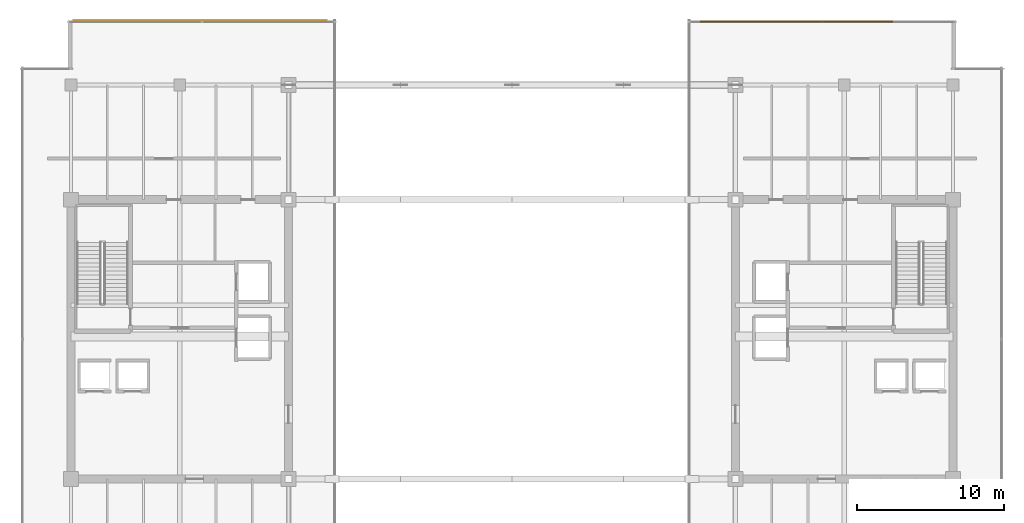
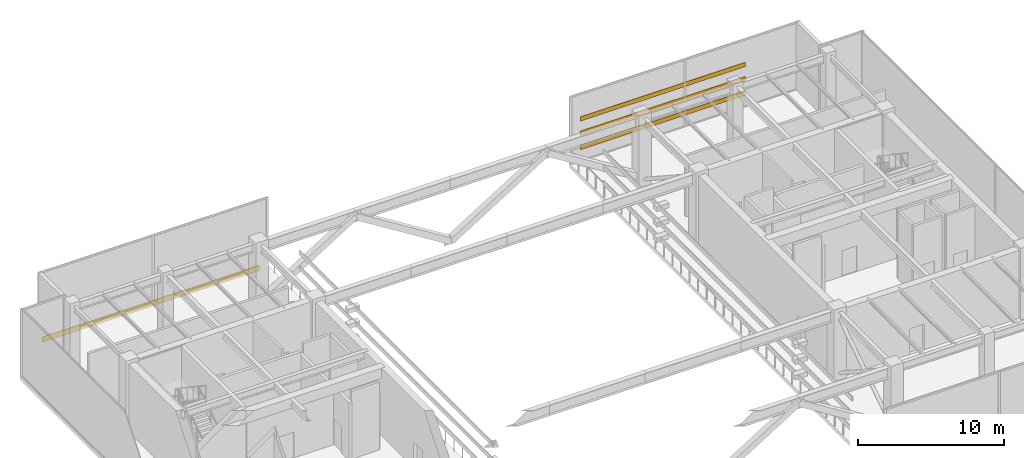
# One storey, part 30 of 30: 3 shading devices, 1 covering.
"""IFC4 building model written with IfcOpenShell, lengths in metres."""

from ifc_helpers import new_model, si_unit, direction, frame, frame_2d, origin, origin_2d, place, context, subcontext, project, spatial, rectangle, extrude, source, transform, mapped, material, layer, layer_set, material_profile, profile_set, type_object, type_shapes, element, save


model = new_model("IFC4")

# Units and contexts
model_context = context("Model", 3, precision=1e-05, world=origin(), true_north=direction((0.0, 1.0)))
body_context = subcontext(model_context, "Body", "Model", "MODEL_VIEW")
ifc_project = project(units=[si_unit("LENGTHUNIT", "METRE"), si_unit("AREAUNIT", "SQUARE_METRE"), si_unit("VOLUMEUNIT", "CUBIC_METRE"), si_unit("PLANEANGLEUNIT", "RADIAN"), si_unit("MASSUNIT", "GRAM", prefix="KILO")], contexts=[model_context])

# Site, building, storey
site_placement = place(None, origin())
site = spatial("IfcSite", under=ifc_project, at=site_placement, CompositionType="ELEMENT")
building_placement = place(site_placement, origin())
building = spatial("IfcBuilding", under=site, at=building_placement, Name="Haelvirn Gate Laboratories", CompositionType="ELEMENT")
storey_placement = place(building_placement, frame((0.0, 0.0, 291.60009765625)))
storey = spatial("IfcBuildingStorey", under=building, at=storey_placement, Name="L70", CompositionType="ELEMENT", Elevation=291.60009765625)

# Covering
ifc_material_1 = material(Name="Anodised bronze honeycomb aluminium spandrel cladding", Category="aluminium")
ifc_layer = layer(ifc_material_1, 0.044921875, Name="COV-CLAD-BRZ")
ifc_layer_set = layer_set([ifc_layer], Name="Anodised bronze honeycomb aluminium spandrel cladding")
covering_type = type_object("IfcCoveringType", Name="COV-CLAD-BRZ", PredefinedType="CLADDING", material=ifc_layer_set)
covering_placement = place(storey_placement, frame((7.60009765625, 45.969970703125, -0.300048828125), z_axis=(0.0, 0.0, 1.0), x_axis=(1.0, 0.0, 0.0)))
element("IfcCovering", 1, at=covering_placement, inside=storey, type_object=covering_type, Name="L70 Bronze Slab-Edge Spandrel Cladding NW", PredefinedType="CLADDING", context=body_context, shape_type="SweptSolid", body=[
    extrude(rectangle(XDim=17.199951171875, YDim=0.044921875, at=frame_2d((8.60009765625, 0.0))), origin(), (0.0, 0.0, 1.0), 0.449951171875),
])

# Shading devices
ifc_material_2 = material(Name="Extruded aluminium 6063-T6 (anodised bronze)", Category="aluminium")
ifc_material_profile = material_profile(ifc_material_2, rectangle(XDim=0.080078125, YDim=0.360107421875, at=origin_2d()), Name="LOUV-360x80")
ifc_profile_set = profile_set([ifc_material_profile], Name="Extruded aluminium 6063-T6 (anodised bronze)")
shading_device_type = type_object("IfcShadingDeviceType", Name="SHD-LOUV-360", PredefinedType="USERDEFINED", material=ifc_profile_set)
shared_shape = source(origin(), body_context, "Body", "SweptSolid", [
    extrude(rectangle(XDim=0.080078125, YDim=0.360107421875, at=origin_2d()), origin(), (0.0, 0.0, 1.0), 13.10009765625),
])
type_shapes(shading_device_type, [shared_shape])
for number, where, z_axis, x_axis, name in (
    (2, (50.199951171875, 45.919921875, 1.14990234375), (1.0, 0.0, 0.0), (0.0, 1.0, 0.0), "L70 North Acoustic Plant Louvre 1"),
    (3, (50.199951171875, 45.919921875, 2.349853515625), (1.0, 0.0, 0.0), (0.0, 1.0, 0.0), "L70 North Acoustic Plant Louvre 2"),
    (4, (50.199951171875, 45.919921875, 3.5498046875), (1.0, 0.0, 0.0), (0.0, 1.0, 0.0), "L70 North Acoustic Plant Louvre 3"),
):
    element("IfcShadingDevice", number, at=place(storey_placement, frame(where, z_axis=z_axis, x_axis=x_axis)), inside=storey, type_object=shading_device_type, Name=name, ObjectType="LOUVRE", PredefinedType="USERDEFINED", context=body_context, shape_type="MappedRepresentation", body=[
        mapped(shared_shape, transform((0.0, 0.0, 0.0), scale=1.0)),
    ])

save(model, "model.ifc")
